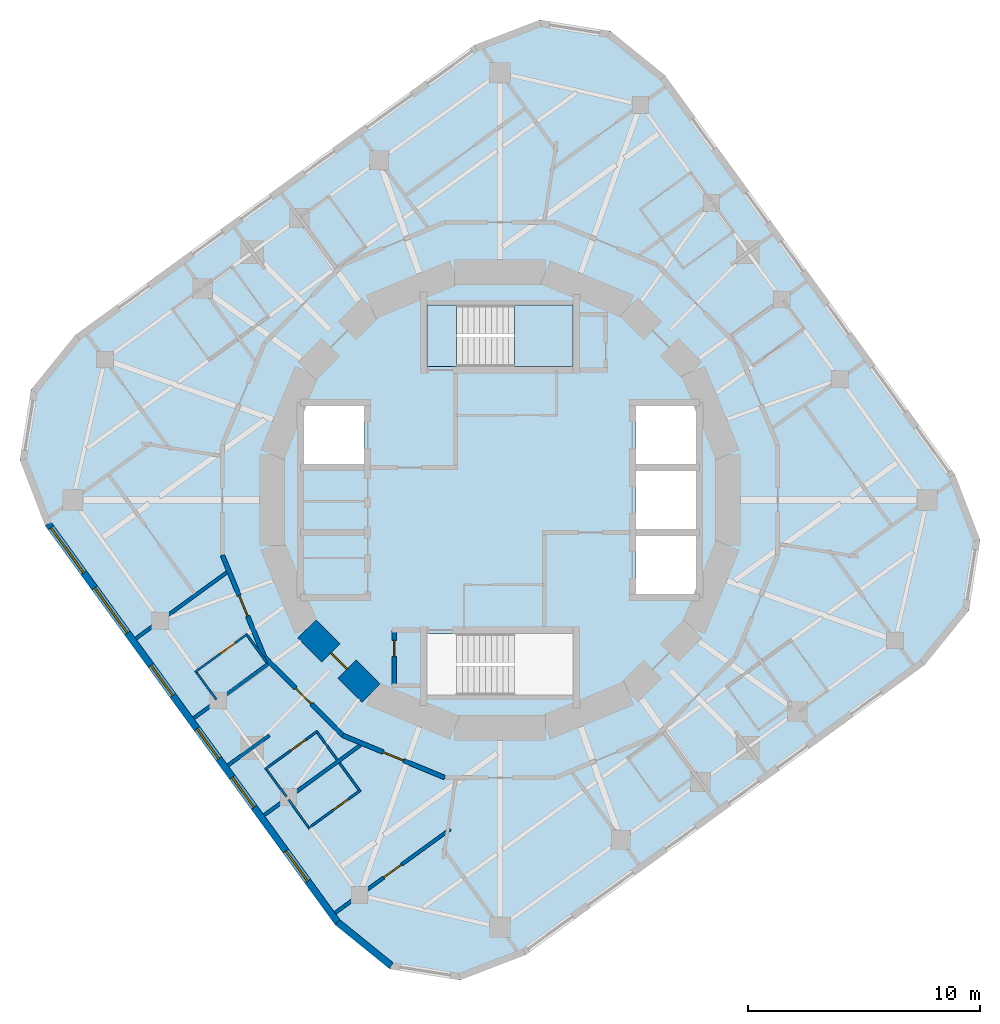
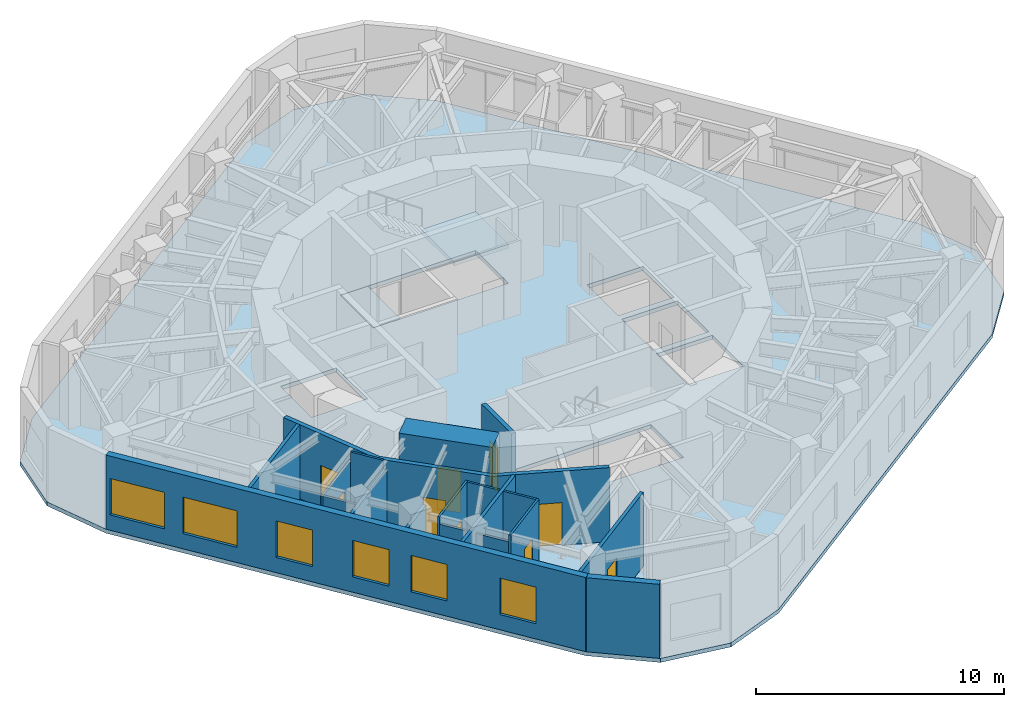
# One storey, part 3 of 9: 21 walls, 9 doors, 6 windows, 3 slabs, 15 openings, 1 element without a shape of its own.
"""IFC4 building model written with IfcOpenShell, lengths in metres."""

from ifc_helpers import new_model, si_unit, direction, frame, frame_2d, origin, place, context, subcontext, project, spatial, polyline, rectangle, outline, extrude, material, layer, layer_set, type_object, element, fill, aggregate, save


model = new_model("IFC4")

# Units and contexts
model_context = context("Model", 3, precision=1e-05, world=origin(), true_north=direction((0.0, 1.0)))
body_context = subcontext(model_context, "Body", "Model", "MODEL_VIEW")
ifc_project = project(units=[si_unit("LENGTHUNIT", "METRE"), si_unit("AREAUNIT", "SQUARE_METRE"), si_unit("VOLUMEUNIT", "CUBIC_METRE"), si_unit("PLANEANGLEUNIT", "RADIAN"), si_unit("MASSUNIT", "GRAM", prefix="KILO")], contexts=[model_context])

# Site, building, storey
site_placement = place(None, origin())
site = spatial("IfcSite", under=ifc_project, at=site_placement, CompositionType="ELEMENT")
building_placement = place(site_placement, origin())
building = spatial("IfcBuilding", under=site, at=building_placement, Name="Nakasero Lantern House", CompositionType="ELEMENT")
storey_placement = place(building_placement, frame((0.0, 0.0, 290.699951171875)))
storey = spatial("IfcBuildingStorey", under=building, at=storey_placement, Name="L71", CompositionType="ELEMENT", Elevation=290.699951171875)

# Slab
ifc_material_1 = material(Name="Concrete C35/45", Category="concrete")
ifc_layer_1 = layer(ifc_material_1, 0.199951171875)
ifc_layer_set_1 = layer_set([ifc_layer_1], Name="Composite floor slab 200")
slab_type_1 = type_object("IfcSlabType", Name="Composite floor slab 200", PredefinedType="FLOOR", material=ifc_layer_set_1)
slab_1_placement = place(storey_placement, frame((0.0, 0.0, -0.199951171875)))
element("IfcSlab", 1, at=slab_1_placement, inside=storey, type_object=slab_type_1, Name="Floor slab L71", PredefinedType="FLOOR", context=body_context, shape_type="SweptSolid", body=[
    extrude(outline(polyline([(7.1181640625, 18.27392578125), (4.744873046875, 20.196044921875), (1.728271484375, 20.673828125), (-1.122802734375, 19.579345703125), (-18.27392578125, 7.1181640625), (-20.196044921875, 4.744873046875), (-20.673828125, 1.728271484375), (-19.579345703125, -1.122802734375), (-7.1181640625, -18.27392578125), (-4.744873046875, -20.196044921875), (-1.728271484375, -20.673828125), (1.122802734375, -19.579345703125), (18.27392578125, -7.1181640625), (20.196044921875, -4.744873046875), (20.673828125, -1.728271484375), (19.579345703125, 1.122802734375), (7.1181640625, 18.27392578125)]), holes=[polyline([(-8.449951171875, 1.550048828125), (-5.85009765625, 1.550048828125), (-5.85009765625, 4.050048828125), (-8.449951171875, 4.050048828125), (-8.449951171875, 1.550048828125)]), polyline([(5.85009765625, -4.050048828125), (8.449951171875, -4.050048828125), (8.449951171875, -1.550048828125), (5.85009765625, -1.550048828125), (5.85009765625, -4.050048828125)]), polyline([(5.85009765625, -1.25), (8.449951171875, -1.25), (8.449951171875, 1.25), (5.85009765625, 1.25), (5.85009765625, -1.25)]), polyline([(5.85009765625, 1.550048828125), (8.449951171875, 1.550048828125), (8.449951171875, 4.050048828125), (5.85009765625, 4.050048828125), (5.85009765625, 1.550048828125)]), polyline([(-3.14990234375, 5.75), (3.14990234375, 5.75), (3.14990234375, 8.39990234375), (-3.14990234375, 8.39990234375), (-3.14990234375, 5.75)]), polyline([(-3.14990234375, -8.39990234375), (3.14990234375, -8.39990234375), (3.14990234375, -5.75), (-3.14990234375, -5.75), (-3.14990234375, -8.39990234375)])]), origin(), (0.0, 0.0, 1.0), 0.199951171875),
])

# Stair, slabs
ifc_material_2 = material(Name="Concrete C40/50", Category="concrete")
stair_type = type_object("IfcStairType", Name="Escape stair ST1 22 risers", PredefinedType="HALF_TURN_STAIR", material=ifc_material_2)
stair_placement = place(storey_placement, origin())
stair = element("IfcStair", 2, at=stair_placement, inside=storey, type_object=stair_type, Name="Escape stair ST1 L71", PredefinedType="HALF_TURN_STAIR")
ifc_material_3 = material(Name="Concrete C40/50", Category="concrete")
ifc_layer_2 = layer(ifc_material_3, 0.199951171875)
ifc_layer_set_2 = layer_set([ifc_layer_2], Name="Stair landing 200")
slab_type_2 = type_object("IfcSlabType", Name="Stair landing 200", PredefinedType="LANDING", material=ifc_layer_set_2)
slab_2_placement = place(storey_placement, frame((0.0, 0.0, -0.199951171875)))
slab_2 = element("IfcSlab", 3, at=slab_2_placement, type_object=slab_type_2, Name="ST1 landing 1", PredefinedType="LANDING", context=body_context, shape_type="SweptSolid", body=[
    extrude(outline(polyline([(-3.14990234375, 5.75), (-1.875, 5.75), (-1.875, 8.39990234375), (-3.14990234375, 8.39990234375), (-3.14990234375, 5.75)])), origin(), (0.0, 0.0, 1.0), 0.199951171875),
])
slab_3_placement = place(storey_placement, frame((0.0, 0.0, 1.72509765625)))
slab_3 = element("IfcSlab", 4, at=slab_3_placement, type_object=slab_type_2, Name="ST1 landing 2", PredefinedType="LANDING", context=body_context, shape_type="SweptSolid", body=[
    extrude(outline(polyline([(0.625, 5.75), (3.14990234375, 5.75), (3.14990234375, 8.39990234375), (0.625, 8.39990234375), (0.625, 5.75)])), origin(), (0.0, 0.0, 1.0), 0.199951171875),
])
aggregate(stair, [slab_2, slab_3])

# Wall, opening, door
ifc_material_4 = material(Name="Concrete C50/60", Category="concrete")
ifc_layer_3 = layer(ifc_material_4, 1.10009765625)
ifc_layer_set_3 = layer_set([ifc_layer_3], Name="Core wall 1100")
wall_type_1 = type_object("IfcWallType", Name="Core wall 1100", PredefinedType="SHEAR", material=ifc_layer_set_3)
wall_1_placement = place(storey_placement, frame((-8.314697265625, -5.5556640625, 0.0), z_axis=(0.0, 0.0, 1.0), x_axis=(0.707106781187, -0.707106781187, 0.0)))
wall_1 = element("IfcWall", 5, at=wall_1_placement, inside=storey, type_object=wall_type_1, Name="Core wall L71 facet 10", PredefinedType="SHEAR", context=body_context, shape_type="SweptSolid", body=[
    extrude(rectangle(XDim=3.90185546875, YDim=1.10009765625, at=frame_2d((1.950927734375, 0.0))), origin(), (0.0, 0.0, 1.0), 3.85009765625),
])
opening_1_placement = place(wall_1_placement, frame((1.450927734375, 0.0, 0.0)))
opening_1 = element("IfcOpeningElement", 6, at=opening_1_placement, cuts=wall_1, Name="Opening D05", PredefinedType="OPENING", context=body_context, shape_type="SweptSolid", body=[
    extrude(rectangle(XDim=1.0, YDim=2.10009765625, at=frame_2d((0.5, 1.050048828125))), frame((0.0, 0.570068359375, 0.0), z_axis=(0.0, -1.0, 0.0), x_axis=(1.0, 0.0, 0.0)), (0.0, 0.0, 1.0), 1.14013671875),
])
ifc_material_5 = material(Name="Timber C24", Category="wood")
door_type_1 = type_object("IfcDoorType", Name="Core door FD60S 1000", OperationType="SINGLE_SWING_LEFT", PredefinedType="DOOR", material=ifc_material_5)
door_1_placement = place(opening_1_placement, origin())
door_1 = element("IfcDoor", 7, at=door_1_placement, inside=storey, type_object=door_type_1, Name="Door L71 D-CORE10", OperationType="SINGLE_SWING_LEFT", OverallHeight=2.10009765625, OverallWidth=1.0, PredefinedType="DOOR", context=body_context, shape_type="SweptSolid", body=[
    extrude(rectangle(XDim=1.0, YDim=2.10009765625, at=frame_2d((0.5, 1.050048828125))), frame((0.0, 0.02490234375, 0.0), z_axis=(0.0, -1.0, 0.0), x_axis=(1.0, 0.0, 0.0)), (0.0, 0.0, 1.0), 0.050048828125),
])
fill(opening_1, door_1)

ifc_material_6 = material(Name="Blockwork", Category="masonry")
ifc_layer_4 = layer(ifc_material_6, 0.199951171875)
ifc_layer_set_4 = layer_set([ifc_layer_4], Name="Corridor wall 200")
wall_type_2 = type_object("IfcWallType", Name="Corridor wall 200", PredefinedType="PARTITIONING", material=ifc_layer_set_4)
wall_2_placement = place(storey_placement, frame((-2.378662109375, -11.957763671875, 0.0), z_axis=(0.0, 0.0, 1.0), x_axis=(-0.923891735412, 0.382653970627, 0.0)))
wall_2 = element("IfcWall", 8, at=wall_2_placement, inside=storey, type_object=wall_type_2, Name="Corridor wall L71 RC05a", PredefinedType="PARTITIONING", context=body_context, shape_type="SweptSolid", body=[
    extrude(rectangle(XDim=4.757080078125, YDim=0.199951171875, at=frame_2d((2.37841796875, 0.0))), origin(), (0.0, 0.0, 1.0), 3.650146484375),
])
opening_2_placement = place(wall_2_placement, frame((1.919921875, 0.0, 0.0)))
opening_2 = element("IfcOpeningElement", 9, at=opening_2_placement, cuts=wall_2, Name="Opening D01", PredefinedType="OPENING", context=body_context, shape_type="SweptSolid", body=[
    extrude(rectangle(XDim=0.949951171875, YDim=2.10009765625, at=frame_2d((0.47509765625, 1.050048828125))), frame((0.0, 0.119873046875, 0.0), z_axis=(0.0, -1.0, 0.0), x_axis=(1.0, 0.0, 0.0)), (0.0, 0.0, 1.0), 0.239990234375),
])
ifc_material_7 = material(Name="Timber C24", Category="wood")
door_type_2 = type_object("IfcDoorType", Name="Bedroom door FD30S 950", OperationType="SINGLE_SWING_LEFT", PredefinedType="DOOR", material=ifc_material_7)
door_2_placement = place(opening_2_placement, origin())
door_2 = element("IfcDoor", 10, at=door_2_placement, inside=storey, type_object=door_type_2, Name="Door L71 D2-06", OperationType="SINGLE_SWING_RIGHT", OverallHeight=2.10009765625, OverallWidth=0.949951171875, PredefinedType="DOOR", context=body_context, shape_type="SweptSolid", body=[
    extrude(rectangle(XDim=0.949951171875, YDim=2.10009765625, at=frame_2d((0.47509765625, 1.050048828125))), frame((0.0, 0.02490234375, 0.0), z_axis=(0.0, -1.0, 0.0), x_axis=(1.0, 0.0, 0.0)), (0.0, 0.0, 1.0), 0.050048828125),
])
fill(opening_2, door_2)

wall_3_placement = place(storey_placement, frame((-6.773681640625, -10.137451171875, 0.0), z_axis=(0.0, 0.0, 1.0), x_axis=(-0.707106781187, 0.707106781187, 0.0)))
wall_3 = element("IfcWall", 11, at=wall_3_placement, inside=storey, type_object=wall_type_2, Name="Corridor wall L71 RC06a", PredefinedType="PARTITIONING", context=body_context, shape_type="SweptSolid", body=[
    extrude(rectangle(XDim=4.757080078125, YDim=0.199951171875, at=frame_2d((2.37841796875, 0.0))), origin(), (0.0, 0.0, 1.0), 3.650146484375),
])
opening_3_placement = place(wall_3_placement, frame((1.919921875, 0.0, 0.0)))
opening_3 = element("IfcOpeningElement", 12, at=opening_3_placement, cuts=wall_3, Name="Opening D01", PredefinedType="OPENING", context=body_context, shape_type="SweptSolid", body=[
    extrude(rectangle(XDim=0.949951171875, YDim=2.10009765625, at=frame_2d((0.47509765625, 1.050048828125))), frame((0.0, 0.119873046875, 0.0), z_axis=(0.0, -1.0, 0.0), x_axis=(1.0, 0.0, 0.0)), (0.0, 0.0, 1.0), 0.239990234375),
])
door_3_placement = place(opening_3_placement, origin())
door_3 = element("IfcDoor", 13, at=door_3_placement, inside=storey, type_object=door_type_2, Name="Door L71 D2-04", OperationType="SINGLE_SWING_RIGHT", OverallHeight=2.10009765625, OverallWidth=0.949951171875, PredefinedType="DOOR", context=body_context, shape_type="SweptSolid", body=[
    extrude(rectangle(XDim=0.949951171875, YDim=2.10009765625, at=frame_2d((0.47509765625, 1.050048828125))), frame((0.0, 0.02490234375, 0.0), z_axis=(0.0, -1.0, 0.0), x_axis=(1.0, 0.0, 0.0)), (0.0, 0.0, 1.0), 0.050048828125),
])
fill(opening_3, door_3)

wall_4_placement = place(storey_placement, frame((-10.137451171875, -6.773681640625, 0.0), z_axis=(0.0, 0.0, 1.0), x_axis=(-0.382653970627, 0.923891735412, 0.0)))
wall_4 = element("IfcWall", 14, at=wall_4_placement, inside=storey, type_object=wall_type_2, Name="Corridor wall L71 RC07a", PredefinedType="PARTITIONING", context=body_context, shape_type="SweptSolid", body=[
    extrude(rectangle(XDim=4.757080078125, YDim=0.199951171875, at=frame_2d((2.37841796875, 0.0))), origin(), (0.0, 0.0, 1.0), 3.650146484375),
])
opening_4_placement = place(wall_4_placement, frame((1.919921875, 0.0, 0.0)))
opening_4 = element("IfcOpeningElement", 15, at=opening_4_placement, cuts=wall_4, Name="Opening D01", PredefinedType="OPENING", context=body_context, shape_type="SweptSolid", body=[
    extrude(rectangle(XDim=0.949951171875, YDim=2.10009765625, at=frame_2d((0.47509765625, 1.050048828125))), frame((0.0, 0.119873046875, 0.0), z_axis=(0.0, -1.0, 0.0), x_axis=(1.0, 0.0, 0.0)), (0.0, 0.0, 1.0), 0.239990234375),
])
door_4_placement = place(opening_4_placement, origin())
door_4 = element("IfcDoor", 16, at=door_4_placement, inside=storey, type_object=door_type_2, Name="Door L71 D2-03", OperationType="SINGLE_SWING_RIGHT", OverallHeight=2.10009765625, OverallWidth=0.949951171875, PredefinedType="DOOR", context=body_context, shape_type="SweptSolid", body=[
    extrude(rectangle(XDim=0.949951171875, YDim=2.10009765625, at=frame_2d((0.47509765625, 1.050048828125))), frame((0.0, 0.02490234375, 0.0), z_axis=(0.0, -1.0, 0.0), x_axis=(1.0, 0.0, 0.0)), (0.0, 0.0, 1.0), 0.050048828125),
])
fill(opening_4, door_4)

ifc_material_8 = material(Name="Blockwork", Category="masonry")
ifc_layer_5 = layer(ifc_material_8, 0.10009765625)
ifc_layer_set_5 = layer_set([ifc_layer_5], Name="En-suite wall 100")
wall_type_3 = type_object("IfcWallType", Name="En-suite wall 100", PredefinedType="PARTITIONING", material=ifc_layer_set_5)
wall_5_placement = place(storey_placement, frame((-10.872314453125, -5.76513671875, 0.0), z_axis=(0.0, 0.0, 1.0), x_axis=(-0.809041377956, -0.587751689708, 0.0)))
wall_5 = element("IfcWall", 17, at=wall_5_placement, inside=storey, type_object=wall_type_3, Name="En-suite wall L71 ES2-03", PredefinedType="PARTITIONING", context=body_context, shape_type="SweptSolid", body=[
    extrude(rectangle(XDim=2.800048828125, YDim=0.10009765625, at=frame_2d((1.39990234375, 0.0))), origin(), (0.0, 0.0, 1.0), 3.18994140625),
])
opening_5_placement = place(wall_5_placement, frame((0.64990234375, 0.0, 0.0)))
opening_5 = element("IfcOpeningElement", 18, at=opening_5_placement, cuts=wall_5, Name="Opening D02", PredefinedType="OPENING", context=body_context, shape_type="SweptSolid", body=[
    extrude(rectangle(XDim=0.800048828125, YDim=2.10009765625, at=frame_2d((0.39990234375, 1.050048828125))), frame((0.0, 0.070068359375, 0.0), z_axis=(0.0, -1.0, 0.0), x_axis=(1.0, 0.0, 0.0)), (0.0, 0.0, 1.0), 0.14013671875),
])
ifc_material_9 = material(Name="Timber C24", Category="wood")
door_type_3 = type_object("IfcDoorType", Name="En-suite door 800", OperationType="SINGLE_SWING_RIGHT", PredefinedType="DOOR", material=ifc_material_9)
door_5_placement = place(opening_5_placement, origin())
door_5 = element("IfcDoor", 19, at=door_5_placement, inside=storey, type_object=door_type_3, Name="Door L71 DE2-03", OperationType="SINGLE_SWING_LEFT", OverallHeight=2.10009765625, OverallWidth=0.800048828125, PredefinedType="DOOR", context=body_context, shape_type="SweptSolid", body=[
    extrude(rectangle(XDim=0.800048828125, YDim=2.10009765625, at=frame_2d((0.39990234375, 1.050048828125))), frame((0.0, 0.02490234375, 0.0), z_axis=(0.0, -1.0, 0.0), x_axis=(1.0, 0.0, 0.0)), (0.0, 0.0, 1.0), 0.050048828125),
])
fill(opening_5, door_5)

# Walls
wall_6_placement = place(storey_placement, frame((-13.06787109375, -7.421875, 0.0), z_axis=(0.0, 0.0, 1.0), x_axis=(0.587781191743, -0.809019944521, 0.0)))
element("IfcWall", 20, at=wall_6_placement, inside=storey, type_object=wall_type_3, Name="En-suite wall L71 EE2-03", PredefinedType="PARTITIONING", context=body_context, shape_type="SweptSolid", body=[
    extrude(rectangle(XDim=1.449951171875, YDim=0.10009765625, at=frame_2d((0.72509765625, 0.0))), origin(), (0.0, 0.0, 1.0), 3.196533203125),
])
wall_7_placement = place(storey_placement, frame((-10.883544921875, -5.8349609375, 0.0), z_axis=(0.0, 0.0, 1.0), x_axis=(0.587781191743, -0.809019944521, 0.0)))
element("IfcWall", 21, at=wall_7_placement, inside=storey, type_object=wall_type_3, Name="En-suite wall L71 EI2-03", PredefinedType="PARTITIONING", context=body_context, shape_type="SweptSolid", body=[
    extrude(rectangle(XDim=1.449951171875, YDim=0.10009765625, at=frame_2d((0.72509765625, 0.0))), origin(), (0.0, 0.0, 1.0), 3.650146484375),
])

# Wall, opening, door
wall_8_placement = place(storey_placement, frame((-7.851318359375, -9.949462890625, 0.0), z_axis=(0.0, 0.0, 1.0), x_axis=(-0.809011254605, -0.587793152327, 0.0)))
wall_8 = element("IfcWall", 22, at=wall_8_placement, inside=storey, type_object=wall_type_3, Name="En-suite wall L71 ES2-04", PredefinedType="PARTITIONING", context=body_context, shape_type="SweptSolid", body=[
    extrude(rectangle(XDim=2.7998046875, YDim=0.10009765625, at=frame_2d((1.39990234375, 0.0))), origin(), (0.0, 0.0, 1.0), 3.650146484375),
])
opening_6_placement = place(wall_8_placement, frame((0.64990234375, 0.0, 0.0)))
opening_6 = element("IfcOpeningElement", 23, at=opening_6_placement, cuts=wall_8, Name="Opening D02", PredefinedType="OPENING", context=body_context, shape_type="SweptSolid", body=[
    extrude(rectangle(XDim=0.800048828125, YDim=2.10009765625, at=frame_2d((0.39990234375, 1.050048828125))), frame((0.0, 0.070068359375, 0.0), z_axis=(0.0, -1.0, 0.0), x_axis=(1.0, 0.0, 0.0)), (0.0, 0.0, 1.0), 0.14013671875),
])
door_6_placement = place(opening_6_placement, origin())
door_6 = element("IfcDoor", 24, at=door_6_placement, inside=storey, type_object=door_type_3, Name="Door L71 DE2-04", OperationType="SINGLE_SWING_LEFT", OverallHeight=2.10009765625, OverallWidth=0.800048828125, PredefinedType="DOOR", context=body_context, shape_type="SweptSolid", body=[
    extrude(rectangle(XDim=0.800048828125, YDim=2.10009765625, at=frame_2d((0.39990234375, 1.050048828125))), frame((0.0, 0.02490234375, 0.0), z_axis=(0.0, -1.0, 0.0), x_axis=(1.0, 0.0, 0.0)), (0.0, 0.0, 1.0), 0.050048828125),
])
fill(opening_6, door_6)

# Walls
wall_9_placement = place(storey_placement, frame((-10.046630859375, -11.6064453125, 0.0), z_axis=(0.0, 0.0, 1.0), x_axis=(0.587781191743, -0.809019944521, 0.0)))
element("IfcWall", 25, at=wall_9_placement, inside=storey, type_object=wall_type_3, Name="En-suite wall L71 EE2-04", PredefinedType="PARTITIONING", context=body_context, shape_type="SweptSolid", body=[
    extrude(rectangle(XDim=1.449951171875, YDim=0.10009765625, at=frame_2d((0.72509765625, 0.0))), origin(), (0.0, 0.0, 1.0), 3.295166015625),
])
wall_10_placement = place(storey_placement, frame((-7.8623046875, -10.019287109375, 0.0), z_axis=(0.0, 0.0, 1.0), x_axis=(0.587781191743, -0.809019944521, 0.0)))
element("IfcWall", 26, at=wall_10_placement, inside=storey, type_object=wall_type_3, Name="En-suite wall L71 EI2-04", PredefinedType="PARTITIONING", context=body_context, shape_type="SweptSolid", body=[
    extrude(rectangle(XDim=1.449951171875, YDim=0.10009765625, at=frame_2d((0.72509765625, 0.0))), origin(), (0.0, 0.0, 1.0), 3.650146484375),
])

# Wall, opening, door
wall_11_placement = place(storey_placement, frame((-5.999755859375, -12.498046875, 0.0), z_axis=(0.0, 0.0, 1.0), x_axis=(-0.809011254605, -0.587793152327, 0.0)))
wall_11 = element("IfcWall", 27, at=wall_11_placement, inside=storey, type_object=wall_type_3, Name="En-suite wall L71 ES2-06", PredefinedType="PARTITIONING", context=body_context, shape_type="SweptSolid", body=[
    extrude(rectangle(XDim=2.7998046875, YDim=0.10009765625, at=frame_2d((1.39990234375, 0.0))), origin(), (0.0, 0.0, 1.0), 3.650146484375),
])
opening_7_placement = place(wall_11_placement, frame((0.64990234375, 0.0, 0.0)))
opening_7 = element("IfcOpeningElement", 28, at=opening_7_placement, cuts=wall_11, Name="Opening D02", PredefinedType="OPENING", context=body_context, shape_type="SweptSolid", body=[
    extrude(rectangle(XDim=0.800048828125, YDim=2.10009765625, at=frame_2d((0.39990234375, 1.050048828125))), frame((0.0, 0.070068359375, 0.0), z_axis=(0.0, -1.0, 0.0), x_axis=(1.0, 0.0, 0.0)), (0.0, 0.0, 1.0), 0.14013671875),
])
door_7_placement = place(opening_7_placement, origin())
door_7 = element("IfcDoor", 29, at=door_7_placement, inside=storey, type_object=door_type_3, Name="Door L71 DE2-06", OperationType="SINGLE_SWING_LEFT", OverallHeight=2.10009765625, OverallWidth=0.800048828125, PredefinedType="DOOR", context=body_context, shape_type="SweptSolid", body=[
    extrude(rectangle(XDim=0.800048828125, YDim=2.10009765625, at=frame_2d((0.39990234375, 1.050048828125))), frame((0.0, 0.02490234375, 0.0), z_axis=(0.0, -1.0, 0.0), x_axis=(1.0, 0.0, 0.0)), (0.0, 0.0, 1.0), 0.050048828125),
])
fill(opening_7, door_7)

# Walls
wall_12_placement = place(storey_placement, frame((-9.106201171875, -12.90087890625, 0.0), z_axis=(0.0, 0.0, 1.0), x_axis=(0.587781191743, -0.809019944521, 0.0)))
element("IfcWall", 30, at=wall_12_placement, inside=storey, type_object=wall_type_3, Name="En-suite wall L71 EE2-06", PredefinedType="PARTITIONING", context=body_context, shape_type="SweptSolid", body=[
    extrude(rectangle(XDim=1.449951171875, YDim=0.10009765625, at=frame_2d((0.72509765625, 0.0))), origin(), (0.0, 0.0, 1.0), 3.295166015625),
])
wall_13_placement = place(storey_placement, frame((-6.921875, -11.313720703125, 0.0), z_axis=(0.0, 0.0, 1.0), x_axis=(0.587781191743, -0.809019944521, 0.0)))
element("IfcWall", 31, at=wall_13_placement, inside=storey, type_object=wall_type_3, Name="En-suite wall L71 EI2-06", PredefinedType="PARTITIONING", context=body_context, shape_type="SweptSolid", body=[
    extrude(rectangle(XDim=1.449951171875, YDim=0.10009765625, at=frame_2d((0.72509765625, 0.0))), origin(), (0.0, 0.0, 1.0), 3.650146484375),
])

# Wall, openings, windows
ifc_material_10 = material(Name="Aluminium rainscreen on blockwork", Category="masonry")
ifc_layer_6 = layer(ifc_material_10, 0.300048828125)
ifc_layer_set_6 = layer_set([ifc_layer_6], Name="Facade wall 300")
wall_type_4 = type_object("IfcWallType", Name="Facade wall 300", PredefinedType="SOLIDWALL", material=ifc_layer_set_6)
wall_14_placement = place(storey_placement, frame((-19.4580078125, -1.03466796875, 0.0), z_axis=(0.0, 0.0, 1.0), x_axis=(0.587790233451, -0.809013375328, 0.0)))
wall_14 = element("IfcWall", 32, at=wall_14_placement, inside=storey, type_object=wall_type_4, Name="Facade wall L71 FW2S", PredefinedType="SOLIDWALL", context=body_context, shape_type="SweptSolid", body=[
    extrude(rectangle(XDim=21.199951171875, YDim=0.300048828125, at=frame_2d((10.60009765625, 0.0))), origin(), (0.0, 0.0, 1.0), 3.650146484375),
])
opening_8_placement = place(wall_14_placement, frame((7.52783203125, 0.0, 0.75)))
opening_8 = element("IfcOpeningElement", 33, at=opening_8_placement, cuts=wall_14, Name="Opening W01", PredefinedType="OPENING", context=body_context, shape_type="SweptSolid", body=[
    extrude(rectangle(XDim=1.60009765625, YDim=1.800048828125, at=frame_2d((0.800048828125, 0.89990234375))), frame((0.0, 0.169921875, 0.0), z_axis=(0.0, -1.0, 0.0), x_axis=(1.0, 0.0, 0.0)), (0.0, 0.0, 1.0), 0.340087890625),
])
opening_9_placement = place(wall_14_placement, frame((10.904052734375, 0.0, 0.75)))
opening_9 = element("IfcOpeningElement", 34, at=opening_9_placement, cuts=wall_14, Name="Opening W01", PredefinedType="OPENING", context=body_context, shape_type="SweptSolid", body=[
    extrude(rectangle(XDim=1.60009765625, YDim=1.800048828125, at=frame_2d((0.800048828125, 0.89990234375))), frame((0.0, 0.169921875, 0.0), z_axis=(0.0, -1.0, 0.0), x_axis=(1.0, 0.0, 0.0)), (0.0, 0.0, 1.0), 0.340087890625),
])
opening_10_placement = place(wall_14_placement, frame((13.484619140625, 0.0, 0.75)))
opening_10 = element("IfcOpeningElement", 35, at=opening_10_placement, cuts=wall_14, Name="Opening W01", PredefinedType="OPENING", context=body_context, shape_type="SweptSolid", body=[
    extrude(rectangle(XDim=1.60009765625, YDim=1.800048828125, at=frame_2d((0.800048828125, 0.89990234375))), frame((0.0, 0.169921875, 0.0), z_axis=(0.0, -1.0, 0.0), x_axis=(1.0, 0.0, 0.0)), (0.0, 0.0, 1.0), 0.340087890625),
])
opening_11_placement = place(wall_14_placement, frame((17.410888671875, 0.0, 0.75)))
opening_11 = element("IfcOpeningElement", 36, at=opening_11_placement, cuts=wall_14, Name="Opening W01", PredefinedType="OPENING", context=body_context, shape_type="SweptSolid", body=[
    extrude(rectangle(XDim=1.60009765625, YDim=1.800048828125, at=frame_2d((0.800048828125, 0.89990234375))), frame((0.0, 0.169921875, 0.0), z_axis=(0.0, -1.0, 0.0), x_axis=(1.0, 0.0, 0.0)), (0.0, 0.0, 1.0), 0.340087890625),
])
opening_12_placement = place(wall_14_placement, frame((0.1904296875, 0.0, 0.75)))
opening_12 = element("IfcOpeningElement", 37, at=opening_12_placement, cuts=wall_14, Name="Opening W03", PredefinedType="OPENING", context=body_context, shape_type="SweptSolid", body=[
    extrude(rectangle(XDim=2.39990234375, YDim=1.800048828125, at=frame_2d((1.199951171875, 0.89990234375))), frame((0.0, 0.169921875, 0.0), z_axis=(0.0, -1.0, 0.0), x_axis=(1.0, 0.0, 0.0)), (0.0, 0.0, 1.0), 0.340087890625),
])
opening_13_placement = place(wall_14_placement, frame((3.401611328125, 0.0, 0.75)))
opening_13 = element("IfcOpeningElement", 38, at=opening_13_placement, cuts=wall_14, Name="Opening W03", PredefinedType="OPENING", context=body_context, shape_type="SweptSolid", body=[
    extrude(rectangle(XDim=2.39990234375, YDim=1.800048828125, at=frame_2d((1.199951171875, 0.89990234375))), frame((0.0, 0.169921875, 0.0), z_axis=(0.0, -1.0, 0.0), x_axis=(1.0, 0.0, 0.0)), (0.0, 0.0, 1.0), 0.340087890625),
])
ifc_material_11 = material(Name="Aluminium 6063-T6 and glass", Category="aluminium")
window_type_1 = type_object("IfcWindowType", Name="Bedroom window 1600x1800", PartitioningType="SINGLE_PANEL", PredefinedType="WINDOW", material=ifc_material_11)
window_1_placement = place(opening_8_placement, origin())
window_1 = element("IfcWindow", 39, at=window_1_placement, inside=storey, type_object=window_type_1, Name="Window L71 WN2-03", OverallHeight=1.800048828125, OverallWidth=1.60009765625, PartitioningType="SINGLE_PANEL", PredefinedType="WINDOW", context=body_context, shape_type="SweptSolid", body=[
    extrude(rectangle(XDim=1.60009765625, YDim=1.800048828125, at=frame_2d((0.800048828125, 0.89990234375))), frame((0.0, 0.030029296875, 0.0), z_axis=(0.0, -1.0, 0.0), x_axis=(1.0, 0.0, 0.0)), (0.0, 0.0, 1.0), 0.06005859375),
])
fill(opening_8, window_1)
window_2_placement = place(opening_9_placement, origin())
window_2 = element("IfcWindow", 40, at=window_2_placement, inside=storey, type_object=window_type_1, Name="Window L71 WN2-04", OverallHeight=1.800048828125, OverallWidth=1.60009765625, PartitioningType="SINGLE_PANEL", PredefinedType="WINDOW", context=body_context, shape_type="SweptSolid", body=[
    extrude(rectangle(XDim=1.60009765625, YDim=1.800048828125, at=frame_2d((0.800048828125, 0.89990234375))), frame((0.0, 0.030029296875, 0.0), z_axis=(0.0, -1.0, 0.0), x_axis=(1.0, 0.0, 0.0)), (0.0, 0.0, 1.0), 0.06005859375),
])
fill(opening_9, window_2)
window_3_placement = place(opening_10_placement, origin())
window_3 = element("IfcWindow", 41, at=window_3_placement, inside=storey, type_object=window_type_1, Name="Window L71 WN2-05", OverallHeight=1.800048828125, OverallWidth=1.60009765625, PartitioningType="SINGLE_PANEL", PredefinedType="WINDOW", context=body_context, shape_type="SweptSolid", body=[
    extrude(rectangle(XDim=1.60009765625, YDim=1.800048828125, at=frame_2d((0.800048828125, 0.89990234375))), frame((0.0, 0.030029296875, 0.0), z_axis=(0.0, -1.0, 0.0), x_axis=(1.0, 0.0, 0.0)), (0.0, 0.0, 1.0), 0.06005859375),
])
fill(opening_10, window_3)
window_4_placement = place(opening_11_placement, origin())
window_4 = element("IfcWindow", 42, at=window_4_placement, inside=storey, type_object=window_type_1, Name="Window L71 WN2-06", OverallHeight=1.800048828125, OverallWidth=1.60009765625, PartitioningType="SINGLE_PANEL", PredefinedType="WINDOW", context=body_context, shape_type="SweptSolid", body=[
    extrude(rectangle(XDim=1.60009765625, YDim=1.800048828125, at=frame_2d((0.800048828125, 0.89990234375))), frame((0.0, 0.030029296875, 0.0), z_axis=(0.0, -1.0, 0.0), x_axis=(1.0, 0.0, 0.0)), (0.0, 0.0, 1.0), 0.06005859375),
])
fill(opening_11, window_4)
ifc_material_12 = material(Name="Aluminium 6063-T6 and glass", Category="aluminium")
window_type_2 = type_object("IfcWindowType", Name="Lounge window 2400x1800", PartitioningType="SINGLE_PANEL", PredefinedType="WINDOW", material=ifc_material_12)
window_5_placement = place(opening_12_placement, origin())
window_5 = element("IfcWindow", 43, at=window_5_placement, inside=storey, type_object=window_type_2, Name="Window L71 WK2", OverallHeight=1.800048828125, OverallWidth=2.39990234375, PartitioningType="SINGLE_PANEL", PredefinedType="WINDOW", context=body_context, shape_type="SweptSolid", body=[
    extrude(rectangle(XDim=2.39990234375, YDim=1.800048828125, at=frame_2d((1.199951171875, 0.89990234375))), frame((0.0, 0.030029296875, 0.0), z_axis=(0.0, -1.0, 0.0), x_axis=(1.0, 0.0, 0.0)), (0.0, 0.0, 1.0), 0.06005859375),
])
fill(opening_12, window_5)
window_6_placement = place(opening_13_placement, origin())
window_6 = element("IfcWindow", 44, at=window_6_placement, inside=storey, type_object=window_type_2, Name="Window L71 WL2", OverallHeight=1.800048828125, OverallWidth=2.39990234375, PartitioningType="SINGLE_PANEL", PredefinedType="WINDOW", context=body_context, shape_type="SweptSolid", body=[
    extrude(rectangle(XDim=2.39990234375, YDim=1.800048828125, at=frame_2d((1.199951171875, 0.89990234375))), frame((0.0, 0.030029296875, 0.0), z_axis=(0.0, -1.0, 0.0), x_axis=(1.0, 0.0, 0.0)), (0.0, 0.0, 1.0), 0.06005859375),
])
fill(opening_13, window_6)

# Wall
wall_15_placement = place(storey_placement, frame((-6.996826171875, -18.185791015625, 0.0), z_axis=(0.0, 0.0, 1.0), x_axis=(0.777101588319, -0.629375183362, 0.0)))
element("IfcWall", 45, at=wall_15_placement, inside=storey, type_object=wall_type_4, Name="Facade wall L71 FW2C1", PredefinedType="SOLIDWALL", context=body_context, shape_type="SweptSolid", body=[
    extrude(rectangle(XDim=2.976318359375, YDim=0.300048828125, at=frame_2d((1.48828125, 0.0))), origin(), (0.0, 0.0, 1.0), 3.650146484375),
])

# Wall, opening, door
ifc_material_13 = material(Name="Blockwork", Category="masonry")
ifc_layer_7 = layer(ifc_material_13, 0.199951171875)
ifc_layer_set_7 = layer_set([ifc_layer_7], Name="Fire lobby wall 200")
wall_type_5 = type_object("IfcWallType", Name="Fire lobby wall 200", PredefinedType="PARTITIONING", material=ifc_layer_set_7)
wall_16_placement = place(storey_placement, frame((-4.550048828125, -5.60009765625, 0.0), z_axis=(0.0, 0.0, 1.0), x_axis=(0.0, -1.0, 0.0)))
wall_16 = element("IfcWall", 46, at=wall_16_placement, inside=storey, type_object=wall_type_5, Name="Fire lobby wall L71 W-RS2W", PredefinedType="PARTITIONING", context=body_context, shape_type="SweptSolid", body=[
    extrude(rectangle(XDim=2.39990234375, YDim=0.199951171875, at=frame_2d((1.199951171875, 0.0))), origin(), (0.0, 0.0, 1.0), 3.650146484375),
])
opening_14_placement = place(wall_16_placement, frame((0.449951171875, 0.0, 0.0)))
opening_14 = element("IfcOpeningElement", 47, at=opening_14_placement, cuts=wall_16, Name="Opening D06", PredefinedType="OPENING", context=body_context, shape_type="SweptSolid", body=[
    extrude(rectangle(XDim=0.699951171875, YDim=2.10009765625, at=frame_2d((0.35009765625, 1.050048828125))), frame((0.0, 0.119873046875, 0.0), z_axis=(0.0, -1.0, 0.0), x_axis=(1.0, 0.0, 0.0)), (0.0, 0.0, 1.0), 0.239990234375),
])
ifc_material_14 = material(Name="Steel S355", Category="steel")
door_type_4 = type_object("IfcDoorType", Name="Riser door FD60 700", OperationType="SINGLE_SWING_LEFT", PredefinedType="DOOR", material=ifc_material_14)
door_8_placement = place(opening_14_placement, origin())
door_8 = element("IfcDoor", 48, at=door_8_placement, inside=storey, type_object=door_type_4, Name="Door L71 D-RS2", OperationType="SINGLE_SWING_LEFT", OverallHeight=2.10009765625, OverallWidth=0.699951171875, PredefinedType="DOOR", context=body_context, shape_type="SweptSolid", body=[
    extrude(rectangle(XDim=0.699951171875, YDim=2.10009765625, at=frame_2d((0.35009765625, 1.050048828125))), frame((0.0, 0.02490234375, 0.0), z_axis=(0.0, -1.0, 0.0), x_axis=(1.0, 0.0, 0.0)), (0.0, 0.0, 1.0), 0.050048828125),
])
fill(opening_14, door_8)

# Walls
ifc_material_15 = material(Name="Blockwork", Category="masonry")
ifc_layer_8 = layer(ifc_material_15, 0.14990234375)
ifc_layer_set_8 = layer_set([ifc_layer_8], Name="Party wall 150")
wall_type_6 = type_object("IfcWallType", Name="Party wall 150", PredefinedType="PARTITIONING", material=ifc_layer_set_8)
wall_17_placement = place(storey_placement, frame((-9.939208984375, -10.13818359375, 0.0), z_axis=(0.0, 0.0, 1.0), x_axis=(-0.808990345923, -0.587821928992, 0.0)))
element("IfcWall", 49, at=wall_17_placement, inside=storey, type_object=wall_type_6, Name="Party wall L71 PN2-05", PredefinedType="PARTITIONING", context=body_context, shape_type="SweptSolid", body=[
    extrude(rectangle(XDim=2.199951171875, YDim=0.14990234375, at=frame_2d((1.10009765625, 0.0))), origin(), (0.0, 0.0, 1.0), 3.295166015625),
])
wall_18_placement = place(storey_placement, frame((-11.760986328125, -3.114990234375, 0.0), z_axis=(0.0, 0.0, 1.0), x_axis=(-0.809020895183, -0.587779883253, 0.0)))
element("IfcWall", 50, at=wall_18_placement, inside=storey, type_object=wall_type_6, Name="Party wall L71 PW2-03", PredefinedType="PARTITIONING", context=body_context, shape_type="SweptSolid", body=[
    extrude(rectangle(XDim=4.854248046875, YDim=0.14990234375, at=frame_2d((2.42724609375, 0.0))), origin(), (0.0, 0.0, 1.0), 3.650146484375),
])
wall_19_placement = place(storey_placement, frame((-9.985107421875, -7.067138671875, 0.0), z_axis=(0.0, 0.0, 1.0), x_axis=(-0.809004739075, -0.587802119896, 0.0)))
element("IfcWall", 51, at=wall_19_placement, inside=storey, type_object=wall_type_6, Name="Party wall L71 PW2-04", PredefinedType="PARTITIONING", context=body_context, shape_type="SweptSolid", body=[
    extrude(rectangle(XDim=3.9677734375, YDim=0.14990234375, at=frame_2d((1.98388671875, 0.0))), origin(), (0.0, 0.0, 1.0), 3.18994140625),
])
wall_20_placement = place(storey_placement, frame((-6.012939453125, -10.560791015625, 0.0), z_axis=(0.0, 0.0, 1.0), x_axis=(-0.809020100005, -0.587780977736, 0.0)))
element("IfcWall", 52, at=wall_20_placement, inside=storey, type_object=wall_type_6, Name="Party wall L71 PW2-06", PredefinedType="PARTITIONING", context=body_context, shape_type="SweptSolid", body=[
    extrude(rectangle(XDim=5.1279296875, YDim=0.14990234375, at=frame_2d((2.56396484375, 0.0))), origin(), (0.0, 0.0, 1.0), 3.650146484375),
])

# Wall, opening, door
wall_21_placement = place(storey_placement, frame((-2.137939453125, -14.1767578125, 0.0), z_axis=(0.0, 0.0, 1.0), x_axis=(-0.809024975628, -0.587774266883, 0.0)))
wall_21 = element("IfcWall", 53, at=wall_21_placement, inside=storey, type_object=wall_type_6, Name="Party wall L71 PW2-07", PredefinedType="PARTITIONING", context=body_context, shape_type="SweptSolid", body=[
    extrude(rectangle(XDim=6.137451171875, YDim=0.14990234375, at=frame_2d((3.06884765625, 0.0))), origin(), (0.0, 0.0, 1.0), 3.650146484375),
])
opening_15_placement = place(wall_21_placement, frame((2.60009765625, 0.0, 0.0)))
opening_15 = element("IfcOpeningElement", 54, at=opening_15_placement, cuts=wall_21, Name="Opening D01", PredefinedType="OPENING", context=body_context, shape_type="SweptSolid", body=[
    extrude(rectangle(XDim=0.949951171875, YDim=2.10009765625, at=frame_2d((0.47509765625, 1.050048828125))), frame((0.0, 0.094970703125, 0.0), z_axis=(0.0, -1.0, 0.0), x_axis=(1.0, 0.0, 0.0)), (0.0, 0.0, 1.0), 0.18994140625),
])
door_9_placement = place(opening_15_placement, origin())
door_9 = element("IfcDoor", 55, at=door_9_placement, inside=storey, type_object=door_type_2, Name="Door L71 DC2", OperationType="SINGLE_SWING_RIGHT", OverallHeight=2.10009765625, OverallWidth=0.949951171875, PredefinedType="DOOR", context=body_context, shape_type="SweptSolid", body=[
    extrude(rectangle(XDim=0.949951171875, YDim=2.10009765625, at=frame_2d((0.47509765625, 1.050048828125))), frame((0.0, 0.02490234375, 0.0), z_axis=(0.0, -1.0, 0.0), x_axis=(1.0, 0.0, 0.0)), (0.0, 0.0, 1.0), 0.050048828125),
])
fill(opening_15, door_9)

save(model, "model.ifc")
